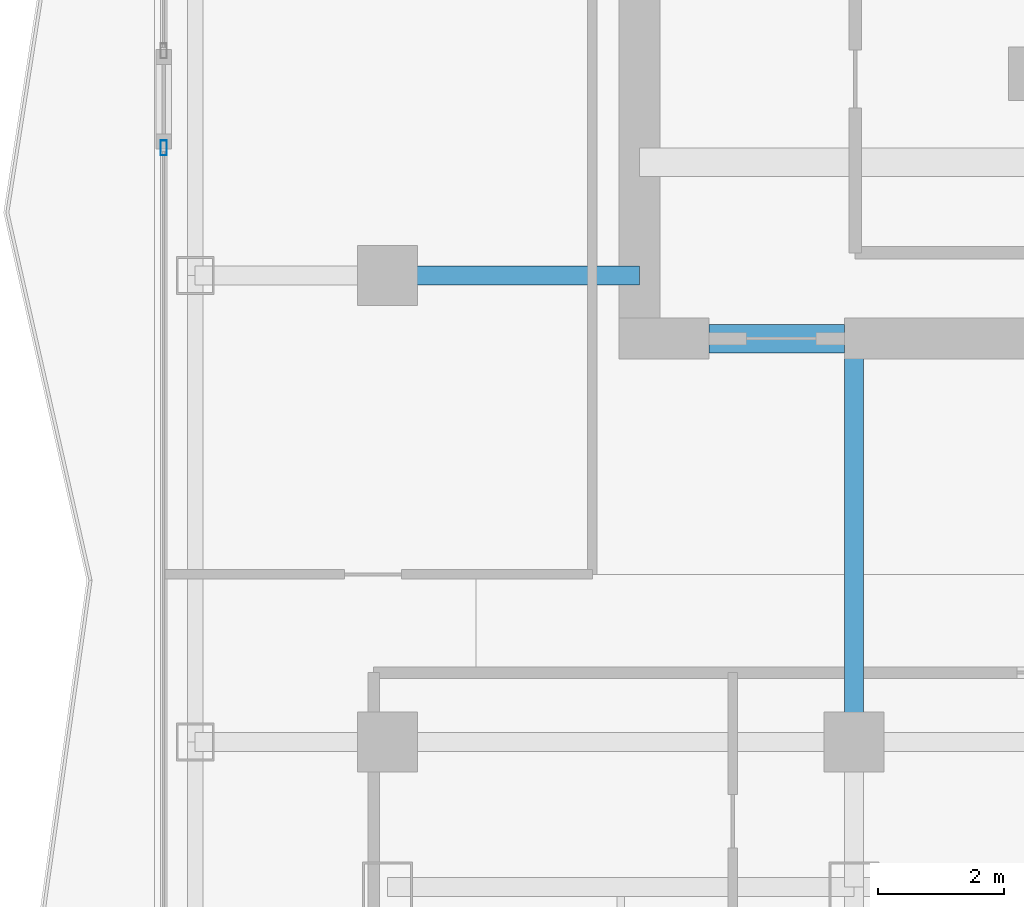
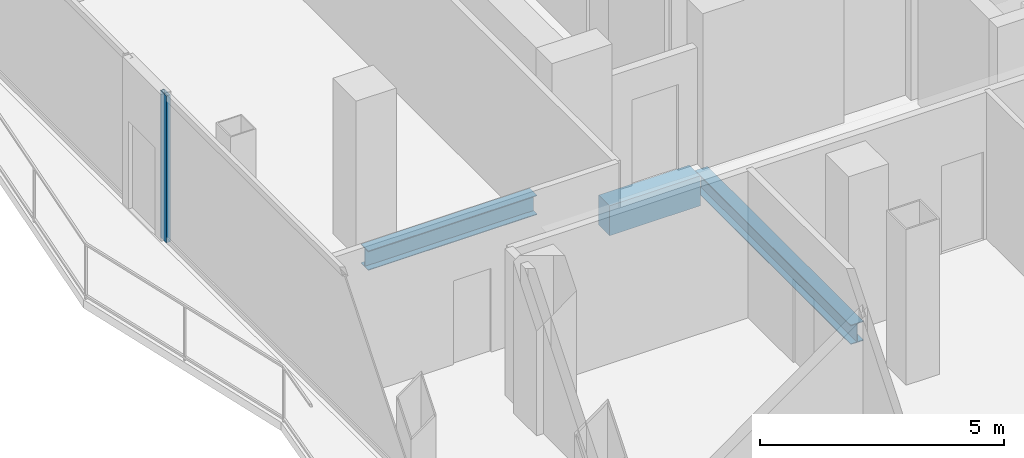
# One storey, part 6 of 27: 3 beams, 1 member, 1 element without a shape of its own.
"""IFC4 building model written with IfcOpenShell, lengths in metres."""

from ifc_helpers import new_model, si_unit, direction, frame, origin, origin_2d, place, context, subcontext, project, spatial, rectangle, hollow_rectangle, i_section, extrude, material, layer, layer_set, material_profile, profile_set, type_object, element, aggregate, save


model = new_model("IFC4")

# Units and contexts
model_context = context("Model", 3, precision=1e-05, world=origin(), true_north=direction((0.0, 1.0)))
body_context = subcontext(model_context, "Body", "Model", "MODEL_VIEW")
ifc_project = project(units=[si_unit("LENGTHUNIT", "METRE"), si_unit("AREAUNIT", "SQUARE_METRE"), si_unit("VOLUMEUNIT", "CUBIC_METRE"), si_unit("PLANEANGLEUNIT", "RADIAN"), si_unit("MASSUNIT", "GRAM", prefix="KILO")], contexts=[model_context])

# Site, building, storey
site_placement = place(None, origin())
site = spatial("IfcSite", under=ifc_project, at=site_placement, CompositionType="ELEMENT")
building_placement = place(site_placement, origin())
building = spatial("IfcBuilding", under=site, at=building_placement, Name="Khorvyn Point Tower", CompositionType="ELEMENT")
storey_placement = place(building_placement, frame((0.0, 0.0, 246.89990234375)))
storey = spatial("IfcBuildingStorey", under=building, at=storey_placement, Name="L60", CompositionType="ELEMENT", Elevation=246.89990234375)

# Curtain wall, member
ifc_material_1 = material(Name="Anodised aluminium 6063-T6 and laminated Low-E glass", Category="aluminium")
ifc_layer = layer(ifc_material_1, 0.18994140625)
ifc_layer_set = layer_set([ifc_layer], Name="Stick-Built Acoustic Curtain Wall CW-SYS-03")
curtain_wall_type = type_object("IfcCurtainWallType", Name="Stick-Built Acoustic Curtain Wall CW-SYS-03", PredefinedType="NOTDEFINED", material=ifc_layer_set)
curtain_wall_placement = place(storey_placement, origin())
curtain_wall = element("IfcCurtainWall", 1, at=curtain_wall_placement, inside=storey, type_object=curtain_wall_type, Name="Curtain Wall", PredefinedType="NOTDEFINED")
ifc_material_2 = material(Name="Anodised aluminium 6063-T6", Category="aluminium")
ifc_material_profile_1 = material_profile(ifc_material_2, hollow_rectangle(XDim=0.10009765625, YDim=0.239990234375, WallThickness=0.0048828125, at=origin_2d()))
ifc_profile_set_1 = profile_set([ifc_material_profile_1], Name="Anodised aluminium 6063-T6 ALU-MUL-100x240")
member_type = type_object("IfcMemberType", Name="Anodised Aluminium 6063-T6 Mullion ALU-MUL-100x240", PredefinedType="MULLION", material=ifc_profile_set_1)
member_placement = place(storey_placement, frame((-18.35009765625, -5.375, 0.0), z_axis=(0.0, 0.0, 1.0), x_axis=(-1.0, 0.0, 0.0)))
member = element("IfcMember", 2, at=member_placement, type_object=member_type, Name="Transom", PredefinedType="MULLION", context=body_context, shape_type="SweptSolid", body=[
    extrude(hollow_rectangle(XDim=0.10009765625, YDim=0.239990234375, WallThickness=0.0048828125, at=origin_2d()), origin(), (0.0, 0.0, 1.0), 3.68017578125),
])
aggregate(curtain_wall, [member])

# Beams
ifc_material_3 = material(Name="Concrete C40/50", Category="concrete")
ifc_material_profile_2 = material_profile(ifc_material_3, rectangle(XDim=0.449951171875, YDim=0.75, at=origin_2d()))
ifc_profile_set_2 = profile_set([ifc_material_profile_2], Name="Concrete C40/50 RC450x750")
beam_type_1 = type_object("IfcBeamType", Name="Concrete C40/50 Beam RC450x750", PredefinedType="BEAM", material=ifc_profile_set_2)
beam_1_placement = place(storey_placement, frame((-9.699951171875, -8.39990234375, -0.594970703125), z_axis=(1.0, 0.0, 0.0), x_axis=(0.0, 1.0, 0.0)))
element("IfcBeam", 3, at=beam_1_placement, inside=storey, type_object=beam_type_1, Name="L60 Core Southwest Portal Coupling Beam", PredefinedType="BEAM", context=body_context, shape_type="SweptSolid", body=[
    extrude(rectangle(XDim=0.449951171875, YDim=0.75, at=origin_2d()), origin(), (0.0, 0.0, 1.0), 2.14990234375),
])
ifc_material_4 = material(Name="Steel S355", Category="steel")
ifc_material_profile_3 = material_profile(ifc_material_4, i_section(OverallWidth=0.300048828125, OverallDepth=0.488037109375, WebThickness=0.010986328125, FlangeThickness=0.01806640625, at=origin_2d()))
ifc_profile_set_3 = profile_set([ifc_material_profile_3], Name="Steel S355 H488x300x11x18")
beam_type_2 = type_object("IfcBeamType", Name="Steel S355 Spandrel H488x300x11x18", PredefinedType="SPANDREL", material=ifc_profile_set_3)
beam_2_placement = place(storey_placement, frame((-14.800048828125, -7.39990234375, -0.4638671875), z_axis=(1.0, 0.0, 0.0), x_axis=(0.0, 1.0, 0.0)))
element("IfcBeam", 4, at=beam_2_placement, inside=storey, type_object=beam_type_2, Name="Beam", PredefinedType="SPANDREL", context=body_context, shape_type="SweptSolid", body=[
    extrude(i_section(OverallWidth=0.300048828125, OverallDepth=0.488037109375, WebThickness=0.010986328125, FlangeThickness=0.01806640625, at=origin_2d()), origin(), (0.0, 0.0, 1.0), 4.0),
])
beam_3_placement = place(storey_placement, frame((-7.39990234375, -14.800048828125, -0.4638671875), z_axis=(0.0, 1.0, 0.0), x_axis=(-1.0, 0.0, 0.0)))
element("IfcBeam", 5, at=beam_3_placement, inside=storey, type_object=beam_type_2, Name="Beam", PredefinedType="SPANDREL", context=body_context, shape_type="SweptSolid", body=[
    extrude(i_section(OverallWidth=0.300048828125, OverallDepth=0.488037109375, WebThickness=0.010986328125, FlangeThickness=0.01806640625, at=origin_2d()), origin(), (0.0, 0.0, 1.0), 6.400146484375),
])

save(model, "model.ifc")
